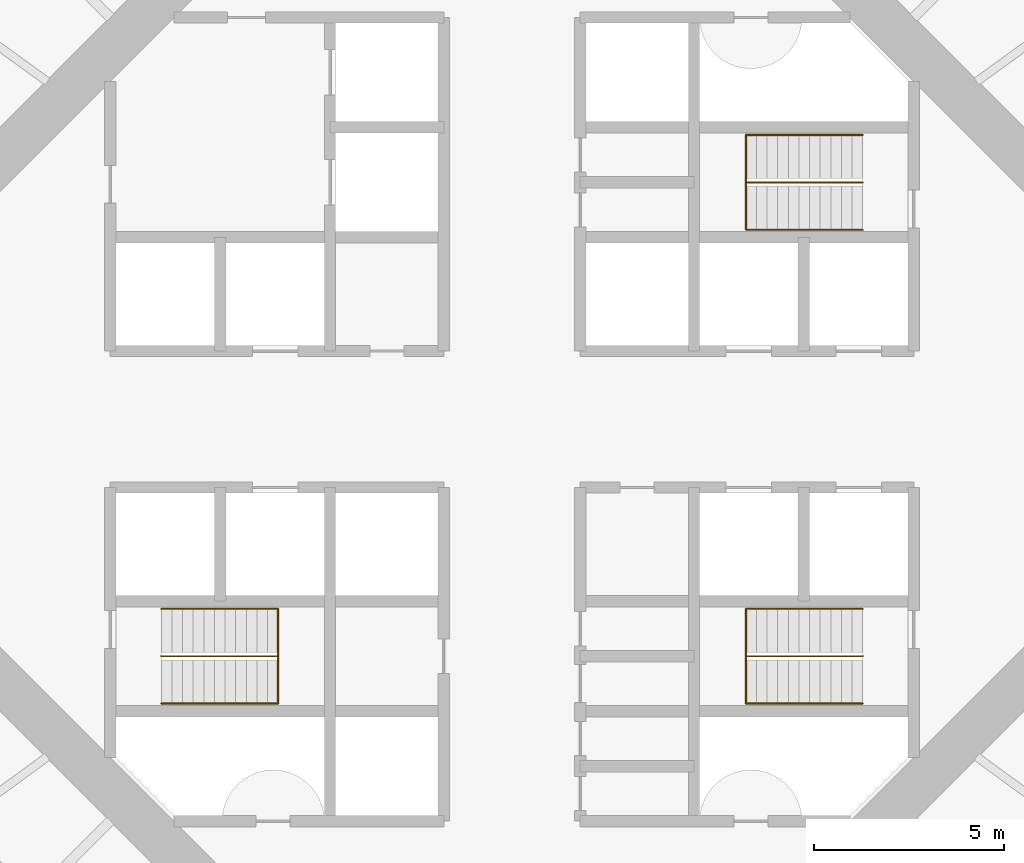
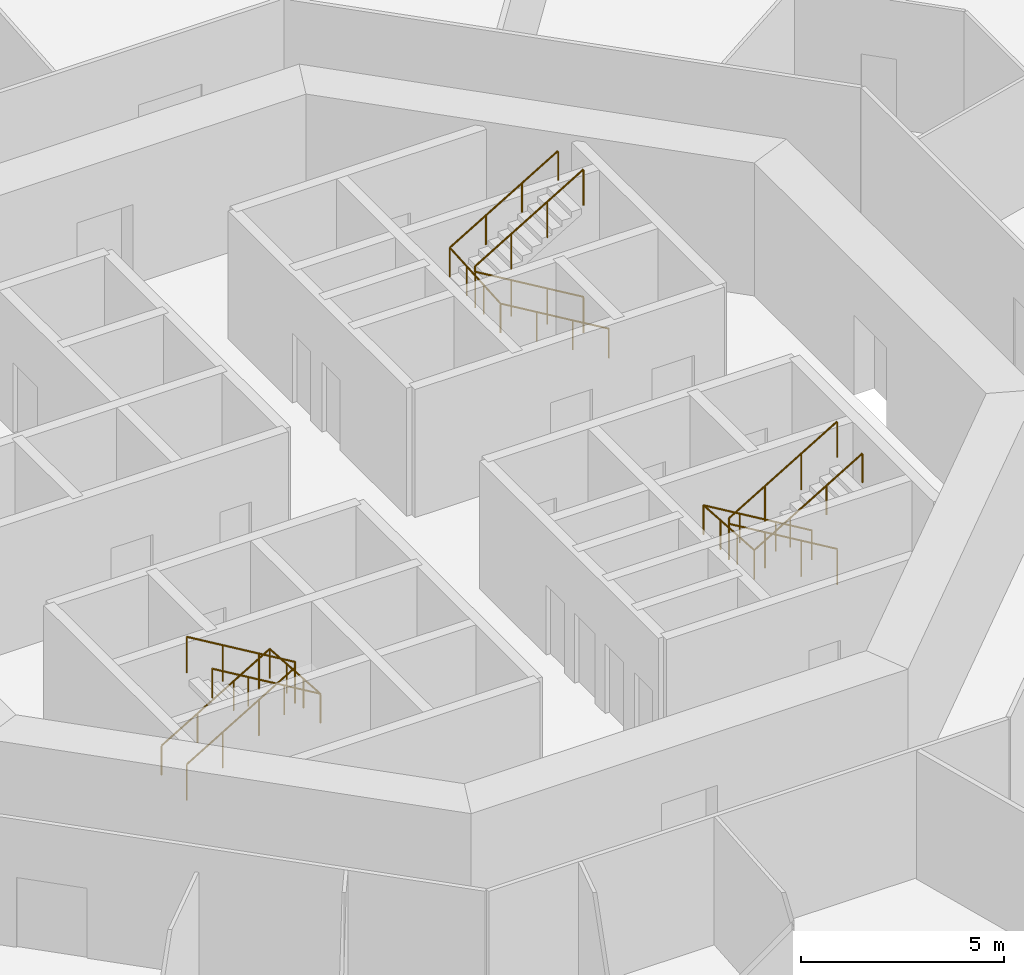
# One storey, part 13 of 13: 6 railings.
"""IFC4 building model written with IfcOpenShell, lengths in metres."""

from ifc_helpers import new_model, si_unit, direction, frame, origin, origin_2d, place, context, subcontext, project, spatial, circle, extrude, material, type_object, element, save


model = new_model("IFC4")

# Units and contexts
model_context = context("Model", 3, precision=1e-05, world=origin(), true_north=direction((0.0, 1.0)))
body_context = subcontext(model_context, "Body", "Model", "MODEL_VIEW")
ifc_project = project(units=[si_unit("LENGTHUNIT", "METRE"), si_unit("AREAUNIT", "SQUARE_METRE"), si_unit("VOLUMEUNIT", "CUBIC_METRE"), si_unit("PLANEANGLEUNIT", "RADIAN"), si_unit("MASSUNIT", "GRAM", prefix="KILO")], contexts=[model_context])

# Site, building, storey
site_placement = place(None, origin())
site = spatial("IfcSite", under=ifc_project, at=site_placement, CompositionType="ELEMENT")
building_placement = place(site_placement, origin())
building = spatial("IfcBuilding", under=site, at=building_placement, Name="Entoto Ring Tower", CompositionType="ELEMENT")
storey_placement = place(building_placement, frame((0.0, 0.0, 120.0)))
storey = spatial("IfcBuildingStorey", under=building, at=storey_placement, Name="L27", CompositionType="ELEMENT", Elevation=120.0)

# Railings
ifc_material_1 = material(Name="Steel S275", Category="steel")
railing_type_1 = type_object("IfcRailingType", Name="Stair guard 1100 mm steel", PredefinedType="GUARDRAIL", material=ifc_material_1)
railing_1_placement = place(storey_placement, frame((99.25, 86.25, 0.166748046875)))
element("IfcRailing", 1, at=railing_1_placement, inside=storey, type_object=railing_type_1, Name="Guard ST1", PredefinedType="GUARDRAIL", context=body_context, shape_type="SweptSolid", body=[
    extrude(circle(Radius=0.02392578125, at=origin_2d()), frame((0.0, 0.0, 1.076171875), z_axis=(-0.859308565015, 0.0, 0.511457515432), x_axis=(0.0, -1.0, 0.0)), (0.0, 0.0, 1.0), 3.58447265625),
    extrude(circle(Radius=0.02392578125, at=origin_2d()), frame((-3.080078125, 0.0, 2.9091796875), z_axis=(0.0, 0.0, 1.0), x_axis=(1.0, 0.0, 0.0)), (0.0, 0.0, 1.0), 0.166748046875),
    extrude(circle(Radius=0.02392578125, at=origin_2d()), frame((-3.080078125, 0.0, 3.076171875), z_axis=(0.859308565015, 0.0, 0.511457515432), x_axis=(0.0, 1.0, 0.0)), (0.0, 0.0, 1.0), 3.58447265625),
    extrude(circle(Radius=0.02099609375, at=origin_2d()), origin(), (0.0, 0.0, 1.0), 1.052001953125),
    extrude(circle(Radius=0.02099609375, at=origin_2d()), frame((-1.026611328125, 0.0, 0.611083984375)), (0.0, 0.0, 1.0), 1.052001953125),
    extrude(circle(Radius=0.02099609375, at=origin_2d()), frame((-2.053466796875, 0.0, 1.22216796875)), (0.0, 0.0, 1.0), 1.052001953125),
    extrude(circle(Radius=0.02099609375, at=origin_2d()), frame((-3.080078125, 0.0, 1.833251953125)), (0.0, 0.0, 1.0), 1.052001953125),
    extrude(circle(Radius=0.02099609375, at=origin_2d()), frame((-3.080078125, 0.0, 2.0)), (0.0, 0.0, 1.0), 1.052001953125),
    extrude(circle(Radius=0.02099609375, at=origin_2d()), frame((-2.053466796875, 0.0, 2.611083984375)), (0.0, 0.0, 1.0), 1.052001953125),
    extrude(circle(Radius=0.02099609375, at=origin_2d()), frame((-1.026611328125, 0.0, 3.22216796875)), (0.0, 0.0, 1.0), 1.052001953125),
    extrude(circle(Radius=0.02099609375, at=origin_2d()), frame((0.0, 0.0, 3.833251953125)), (0.0, 0.0, 1.0), 1.052001953125),
])
railing_2_placement = place(storey_placement, frame((80.75, 73.75, 0.166748046875)))
element("IfcRailing", 2, at=railing_2_placement, inside=storey, type_object=railing_type_1, Name="Guard ST2", PredefinedType="GUARDRAIL", context=body_context, shape_type="SweptSolid", body=[
    extrude(circle(Radius=0.02392578125, at=origin_2d()), frame((0.0, 0.0, 1.076171875), z_axis=(0.859308565015, 0.0, 0.511457515432), x_axis=(0.0, 1.0, 0.0)), (0.0, 0.0, 1.0), 3.58447265625),
    extrude(circle(Radius=0.02392578125, at=origin_2d()), frame((3.080078125, 0.0, 2.9091796875), z_axis=(0.0, 0.0, 1.0), x_axis=(1.0, 0.0, 0.0)), (0.0, 0.0, 1.0), 0.166748046875),
    extrude(circle(Radius=0.02392578125, at=origin_2d()), frame((3.080078125, 0.0, 3.076171875), z_axis=(-0.859308565015, 0.0, 0.511457515432), x_axis=(0.0, -1.0, 0.0)), (0.0, 0.0, 1.0), 3.58447265625),
    extrude(circle(Radius=0.02099609375, at=origin_2d()), origin(), (0.0, 0.0, 1.0), 1.052001953125),
    extrude(circle(Radius=0.02099609375, at=origin_2d()), frame((1.026611328125, 0.0, 0.611083984375)), (0.0, 0.0, 1.0), 1.052001953125),
    extrude(circle(Radius=0.02099609375, at=origin_2d()), frame((2.053466796875, 0.0, 1.22216796875)), (0.0, 0.0, 1.0), 1.052001953125),
    extrude(circle(Radius=0.02099609375, at=origin_2d()), frame((3.080078125, 0.0, 1.833251953125)), (0.0, 0.0, 1.0), 1.052001953125),
    extrude(circle(Radius=0.02099609375, at=origin_2d()), frame((3.080078125, 0.0, 2.0)), (0.0, 0.0, 1.0), 1.052001953125),
    extrude(circle(Radius=0.02099609375, at=origin_2d()), frame((2.053466796875, 0.0, 2.611083984375)), (0.0, 0.0, 1.0), 1.052001953125),
    extrude(circle(Radius=0.02099609375, at=origin_2d()), frame((1.026611328125, 0.0, 3.22216796875)), (0.0, 0.0, 1.0), 1.052001953125),
    extrude(circle(Radius=0.02099609375, at=origin_2d()), frame((0.0, 0.0, 3.833251953125)), (0.0, 0.0, 1.0), 1.052001953125),
])
railing_3_placement = place(storey_placement, frame((99.25, 73.75, 0.166748046875)))
element("IfcRailing", 3, at=railing_3_placement, inside=storey, type_object=railing_type_1, Name="Guard ST3", PredefinedType="GUARDRAIL", context=body_context, shape_type="SweptSolid", body=[
    extrude(circle(Radius=0.02392578125, at=origin_2d()), frame((0.0, 0.0, 1.076171875), z_axis=(-0.859308565015, 0.0, 0.511457515432), x_axis=(0.0, -1.0, 0.0)), (0.0, 0.0, 1.0), 3.58447265625),
    extrude(circle(Radius=0.02392578125, at=origin_2d()), frame((-3.080078125, 0.0, 2.9091796875), z_axis=(0.0, 0.0, 1.0), x_axis=(1.0, 0.0, 0.0)), (0.0, 0.0, 1.0), 0.166748046875),
    extrude(circle(Radius=0.02392578125, at=origin_2d()), frame((-3.080078125, 0.0, 3.076171875), z_axis=(0.859308565015, 0.0, 0.511457515432), x_axis=(0.0, 1.0, 0.0)), (0.0, 0.0, 1.0), 3.58447265625),
    extrude(circle(Radius=0.02099609375, at=origin_2d()), origin(), (0.0, 0.0, 1.0), 1.052001953125),
    extrude(circle(Radius=0.02099609375, at=origin_2d()), frame((-1.026611328125, 0.0, 0.611083984375)), (0.0, 0.0, 1.0), 1.052001953125),
    extrude(circle(Radius=0.02099609375, at=origin_2d()), frame((-2.053466796875, 0.0, 1.22216796875)), (0.0, 0.0, 1.0), 1.052001953125),
    extrude(circle(Radius=0.02099609375, at=origin_2d()), frame((-3.080078125, 0.0, 1.833251953125)), (0.0, 0.0, 1.0), 1.052001953125),
    extrude(circle(Radius=0.02099609375, at=origin_2d()), frame((-3.080078125, 0.0, 2.0)), (0.0, 0.0, 1.0), 1.052001953125),
    extrude(circle(Radius=0.02099609375, at=origin_2d()), frame((-2.053466796875, 0.0, 2.611083984375)), (0.0, 0.0, 1.0), 1.052001953125),
    extrude(circle(Radius=0.02099609375, at=origin_2d()), frame((-1.026611328125, 0.0, 3.22216796875)), (0.0, 0.0, 1.0), 1.052001953125),
    extrude(circle(Radius=0.02099609375, at=origin_2d()), frame((0.0, 0.0, 3.833251953125)), (0.0, 0.0, 1.0), 1.052001953125),
])
ifc_material_2 = material(Name="Steel S275", Category="steel")
railing_type_2 = type_object("IfcRailingType", Name="Stair handrail 900 mm steel", PredefinedType="HANDRAIL", material=ifc_material_2)
railing_4_placement = place(storey_placement, frame((99.25, 85.0, 0.166748046875)))
element("IfcRailing", 4, at=railing_4_placement, inside=storey, type_object=railing_type_2, Name="Handrail ST1", PredefinedType="HANDRAIL", context=body_context, shape_type="SweptSolid", body=[
    extrude(circle(Radius=0.02392578125, at=origin_2d()), frame((0.0, 0.0, 0.8759765625), z_axis=(-0.859308565015, 0.0, 0.511457515432), x_axis=(0.0, -1.0, 0.0)), (0.0, 0.0, 1.0), 3.58447265625),
    extrude(circle(Radius=0.02392578125, at=origin_2d()), frame((-3.080078125, 0.0, 2.708984375), z_axis=(0.0, 0.997783001586, 0.066551346688), x_axis=(-1.0, 0.0, 0.0)), (0.0, 0.0, 1.0), 2.505615234375),
    extrude(circle(Radius=0.02392578125, at=origin_2d()), frame((-3.080078125, 2.5, 2.8759765625), z_axis=(0.859308565015, 0.0, 0.511457515432), x_axis=(0.0, 1.0, 0.0)), (0.0, 0.0, 1.0), 3.58447265625),
    extrude(circle(Radius=0.02099609375, at=origin_2d()), origin(), (0.0, 0.0, 1.0), 0.851806640625),
    extrude(circle(Radius=0.02099609375, at=origin_2d()), frame((-1.026611328125, 0.0, 0.611083984375)), (0.0, 0.0, 1.0), 0.851806640625),
    extrude(circle(Radius=0.02099609375, at=origin_2d()), frame((-2.053466796875, 0.0, 1.22216796875)), (0.0, 0.0, 1.0), 0.851806640625),
    extrude(circle(Radius=0.02099609375, at=origin_2d()), frame((-3.080078125, 0.0, 1.833251953125)), (0.0, 0.0, 1.0), 0.851806640625),
    extrude(circle(Radius=0.02099609375, at=origin_2d()), frame((-3.080078125, 0.833251953125, 1.888916015625)), (0.0, 0.0, 1.0), 0.851806640625),
    extrude(circle(Radius=0.02099609375, at=origin_2d()), frame((-3.080078125, 1.666748046875, 1.9443359375)), (0.0, 0.0, 1.0), 0.851806640625),
    extrude(circle(Radius=0.02099609375, at=origin_2d()), frame((-3.080078125, 2.5, 2.0)), (0.0, 0.0, 1.0), 0.851806640625),
    extrude(circle(Radius=0.02099609375, at=origin_2d()), frame((-2.053466796875, 2.5, 2.611083984375)), (0.0, 0.0, 1.0), 0.851806640625),
    extrude(circle(Radius=0.02099609375, at=origin_2d()), frame((-1.026611328125, 2.5, 3.22216796875)), (0.0, 0.0, 1.0), 0.851806640625),
    extrude(circle(Radius=0.02099609375, at=origin_2d()), frame((0.0, 2.5, 3.833251953125)), (0.0, 0.0, 1.0), 0.851806640625),
])
railing_5_placement = place(storey_placement, frame((80.75, 75.0, 0.166748046875)))
element("IfcRailing", 5, at=railing_5_placement, inside=storey, type_object=railing_type_2, Name="Handrail ST2", PredefinedType="HANDRAIL", context=body_context, shape_type="SweptSolid", body=[
    extrude(circle(Radius=0.02392578125, at=origin_2d()), frame((0.0, 0.0, 0.8759765625), z_axis=(0.859308565015, 0.0, 0.511457515432), x_axis=(0.0, 1.0, 0.0)), (0.0, 0.0, 1.0), 3.58447265625),
    extrude(circle(Radius=0.02392578125, at=origin_2d()), frame((3.080078125, 0.0, 2.708984375), z_axis=(0.0, -0.997783001586, 0.066551346688), x_axis=(1.0, 0.0, 0.0)), (0.0, 0.0, 1.0), 2.505615234375),
    extrude(circle(Radius=0.02392578125, at=origin_2d()), frame((3.080078125, -2.5, 2.8759765625), z_axis=(-0.859308565015, 0.0, 0.511457515432), x_axis=(0.0, -1.0, 0.0)), (0.0, 0.0, 1.0), 3.58447265625),
    extrude(circle(Radius=0.02099609375, at=origin_2d()), origin(), (0.0, 0.0, 1.0), 0.851806640625),
    extrude(circle(Radius=0.02099609375, at=origin_2d()), frame((1.026611328125, 0.0, 0.611083984375)), (0.0, 0.0, 1.0), 0.851806640625),
    extrude(circle(Radius=0.02099609375, at=origin_2d()), frame((2.053466796875, 0.0, 1.22216796875)), (0.0, 0.0, 1.0), 0.851806640625),
    extrude(circle(Radius=0.02099609375, at=origin_2d()), frame((3.080078125, 0.0, 1.833251953125)), (0.0, 0.0, 1.0), 0.851806640625),
    extrude(circle(Radius=0.02099609375, at=origin_2d()), frame((3.080078125, -0.833251953125, 1.888916015625)), (0.0, 0.0, 1.0), 0.851806640625),
    extrude(circle(Radius=0.02099609375, at=origin_2d()), frame((3.080078125, -1.666748046875, 1.9443359375)), (0.0, 0.0, 1.0), 0.851806640625),
    extrude(circle(Radius=0.02099609375, at=origin_2d()), frame((3.080078125, -2.5, 2.0)), (0.0, 0.0, 1.0), 0.851806640625),
    extrude(circle(Radius=0.02099609375, at=origin_2d()), frame((2.053466796875, -2.5, 2.611083984375)), (0.0, 0.0, 1.0), 0.851806640625),
    extrude(circle(Radius=0.02099609375, at=origin_2d()), frame((1.026611328125, -2.5, 3.22216796875)), (0.0, 0.0, 1.0), 0.851806640625),
    extrude(circle(Radius=0.02099609375, at=origin_2d()), frame((0.0, -2.5, 3.833251953125)), (0.0, 0.0, 1.0), 0.851806640625),
])
railing_6_placement = place(storey_placement, frame((99.25, 75.0, 0.166748046875)))
element("IfcRailing", 6, at=railing_6_placement, inside=storey, type_object=railing_type_2, Name="Handrail ST3", PredefinedType="HANDRAIL", context=body_context, shape_type="SweptSolid", body=[
    extrude(circle(Radius=0.02392578125, at=origin_2d()), frame((0.0, 0.0, 0.8759765625), z_axis=(-0.859308565015, 0.0, 0.511457515432), x_axis=(0.0, -1.0, 0.0)), (0.0, 0.0, 1.0), 3.58447265625),
    extrude(circle(Radius=0.02392578125, at=origin_2d()), frame((-3.080078125, 0.0, 2.708984375), z_axis=(0.0, -0.997783001586, 0.066551346688), x_axis=(1.0, 0.0, 0.0)), (0.0, 0.0, 1.0), 2.505615234375),
    extrude(circle(Radius=0.02392578125, at=origin_2d()), frame((-3.080078125, -2.5, 2.8759765625), z_axis=(0.859308565015, 0.0, 0.511457515432), x_axis=(0.0, 1.0, 0.0)), (0.0, 0.0, 1.0), 3.58447265625),
    extrude(circle(Radius=0.02099609375, at=origin_2d()), origin(), (0.0, 0.0, 1.0), 0.851806640625),
    extrude(circle(Radius=0.02099609375, at=origin_2d()), frame((-1.026611328125, 0.0, 0.611083984375)), (0.0, 0.0, 1.0), 0.851806640625),
    extrude(circle(Radius=0.02099609375, at=origin_2d()), frame((-2.053466796875, 0.0, 1.22216796875)), (0.0, 0.0, 1.0), 0.851806640625),
    extrude(circle(Radius=0.02099609375, at=origin_2d()), frame((-3.080078125, 0.0, 1.833251953125)), (0.0, 0.0, 1.0), 0.851806640625),
    extrude(circle(Radius=0.02099609375, at=origin_2d()), frame((-3.080078125, -0.833251953125, 1.888916015625)), (0.0, 0.0, 1.0), 0.851806640625),
    extrude(circle(Radius=0.02099609375, at=origin_2d()), frame((-3.080078125, -1.666748046875, 1.9443359375)), (0.0, 0.0, 1.0), 0.851806640625),
    extrude(circle(Radius=0.02099609375, at=origin_2d()), frame((-3.080078125, -2.5, 2.0)), (0.0, 0.0, 1.0), 0.851806640625),
    extrude(circle(Radius=0.02099609375, at=origin_2d()), frame((-2.053466796875, -2.5, 2.611083984375)), (0.0, 0.0, 1.0), 0.851806640625),
    extrude(circle(Radius=0.02099609375, at=origin_2d()), frame((-1.026611328125, -2.5, 3.22216796875)), (0.0, 0.0, 1.0), 0.851806640625),
    extrude(circle(Radius=0.02099609375, at=origin_2d()), frame((0.0, -2.5, 3.833251953125)), (0.0, 0.0, 1.0), 0.851806640625),
])

save(model, "model.ifc")
